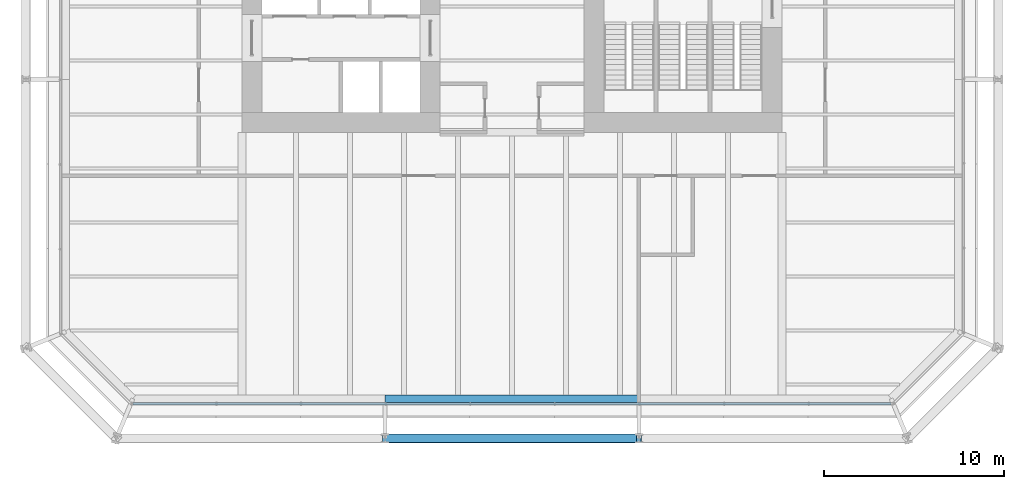
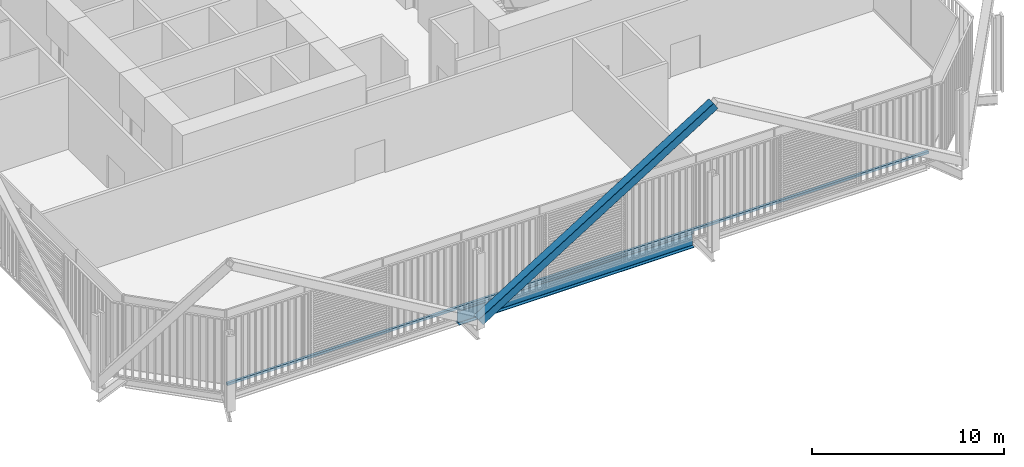
# One storey, part 3 of 22: 2 members, 1 beam, 1 element without a shape of its own.
"""IFC4 building model written with IfcOpenShell, lengths in metres."""

from ifc_helpers import new_model, si_unit, direction, frame, origin, origin_2d, place, context, subcontext, project, spatial, rectangle, hollow_rectangle, i_section, extrude, material, layer, layer_set, material_profile, profile_set, type_object, element, aggregate, save


model = new_model("IFC4")

# Units and contexts
model_context = context("Model", 3, precision=1e-05, world=origin(), true_north=direction((0.0, 1.0)))
body_context = subcontext(model_context, "Body", "Model", "MODEL_VIEW")
ifc_project = project(units=[si_unit("LENGTHUNIT", "METRE"), si_unit("AREAUNIT", "SQUARE_METRE"), si_unit("VOLUMEUNIT", "CUBIC_METRE"), si_unit("PLANEANGLEUNIT", "RADIAN"), si_unit("MASSUNIT", "GRAM", prefix="KILO")], contexts=[model_context])

# Site, building, storey
site_placement = place(None, origin())
site = spatial("IfcSite", under=ifc_project, at=site_placement, CompositionType="ELEMENT")
building_placement = place(site_placement, origin())
building = spatial("IfcBuilding", under=site, at=building_placement, Name="Millrace Tower", CompositionType="ELEMENT")
storey_placement = place(building_placement, frame((0.0, 0.0, 54.5)))
storey = spatial("IfcBuildingStorey", under=building, at=storey_placement, Name="L12", CompositionType="ELEMENT", Elevation=54.5)

# Curtain wall, member
ifc_material_1 = material(Name="Aluminium and glass", Category="aluminium")
ifc_layer = layer(ifc_material_1, 0.14990234375)
ifc_layer_set = layer_set([ifc_layer], Name="Aluminium and glass")
curtain_wall_type = type_object("IfcCurtainWallType", Name="CW-2 data hall insulated curtain wall", PredefinedType="NOTDEFINED", material=ifc_layer_set)
curtain_wall_placement = place(storey_placement, origin())
curtain_wall = element("IfcCurtainWall", 1, at=curtain_wall_placement, inside=storey, type_object=curtain_wall_type, Name="Curtain wall A-F02 L12", PredefinedType="NOTDEFINED")
ifc_material_2 = material(Name="Aluminium", Category="aluminium")
ifc_material_profile_1 = material_profile(ifc_material_2, rectangle(XDim=0.14990234375, YDim=0.159912109375, at=origin_2d()))
ifc_profile_set_1 = profile_set([ifc_material_profile_1], Name="Aluminium")
member_type_1 = type_object("IfcMemberType", Name="CW-2 data hall insulated curtain wall transom", PredefinedType="USERDEFINED", material=ifc_profile_set_1)
member_1_placement = place(storey_placement, frame((-21.050048828125, -25.074951171875, 0.080078125), z_axis=(1.0, 0.0, 0.0), x_axis=(0.0, 1.0, 0.0)))
member_1 = element("IfcMember", 2, at=member_1_placement, type_object=member_type_1, Name="CW2 transom A-F02.1", ObjectType="TRANSOM", PredefinedType="USERDEFINED", context=body_context, shape_type="SweptSolid", body=[
    extrude(rectangle(XDim=0.14990234375, YDim=0.159912109375, at=origin_2d()), origin(), (0.0, 0.0, 1.0), 42.10009765625),
])
aggregate(curtain_wall, [member_1])

# Member
ifc_material_3 = material(Name="Steel ASTM A500 Grade C", Category="steel")
ifc_material_profile_2 = material_profile(ifc_material_3, hollow_rectangle(XDim=0.508056640625, YDim=0.508056640625, WallThickness=0.01904296875, InnerFilletRadius=0.009521484375, OuterFilletRadius=0.028564453125, at=origin_2d()))
ifc_profile_set_2 = profile_set([ifc_material_profile_2], Name="Steel ASTM A500 Grade C")
member_type_2 = type_object("IfcMemberType", Name="Exoskeleton brace HSS20x20x3/4", PredefinedType="BRACE", material=ifc_profile_set_2)
member_2_placement = place(storey_placement, frame((-7.050048828125, -27.0, 0.39990234375), z_axis=(0.848336468551, 0.0, 0.529457492276), x_axis=(0.0, 1.0, 0.0)))
element("IfcMember", 3, at=member_2_placement, inside=storey, type_object=member_type_2, Name="BRC-A-L12-03", PredefinedType="BRACE", context=body_context, shape_type="SweptSolid", body=[
    extrude(hollow_rectangle(XDim=0.508056640625, YDim=0.508056640625, WallThickness=0.01904296875, InnerFilletRadius=0.009521484375, OuterFilletRadius=0.028564453125, at=origin_2d()), origin(), (0.0, 0.0, 1.0), 16.620849609375),
])

# Beam
ifc_material_4 = material(Name="Steel ASTM A992 Grade 50", Category="steel")
ifc_material_profile_3 = material_profile(ifc_material_4, i_section(OverallWidth=0.421630859375, OverallDepth=0.937255859375, WebThickness=0.021240234375, FlangeThickness=0.03662109375, FilletRadius=0.024169921875, at=origin_2d()))
ifc_profile_set_3 = profile_set([ifc_material_profile_3], Name="Steel ASTM A992 Grade 50")
beam_type = type_object("IfcBeamType", Name="Ring beam medium span W36x262", PredefinedType="SPANDREL", material=ifc_profile_set_3)
beam_placement = place(storey_placement, frame((7.050048828125, -24.7890625, -0.693603515625), z_axis=(-1.0, 0.0, 0.0), x_axis=(0.0, -1.0, 0.0)))
element("IfcBeam", 4, at=beam_placement, inside=storey, type_object=beam_type, Name="RNG-A-L12-S1-14", PredefinedType="SPANDREL", context=body_context, shape_type="SweptSolid", body=[
    extrude(i_section(OverallWidth=0.421630859375, OverallDepth=0.937255859375, WebThickness=0.021240234375, FlangeThickness=0.03662109375, FilletRadius=0.024169921875, at=origin_2d()), origin(), (0.0, 0.0, 1.0), 14.10009765625),
])

save(model, "model.ifc")
